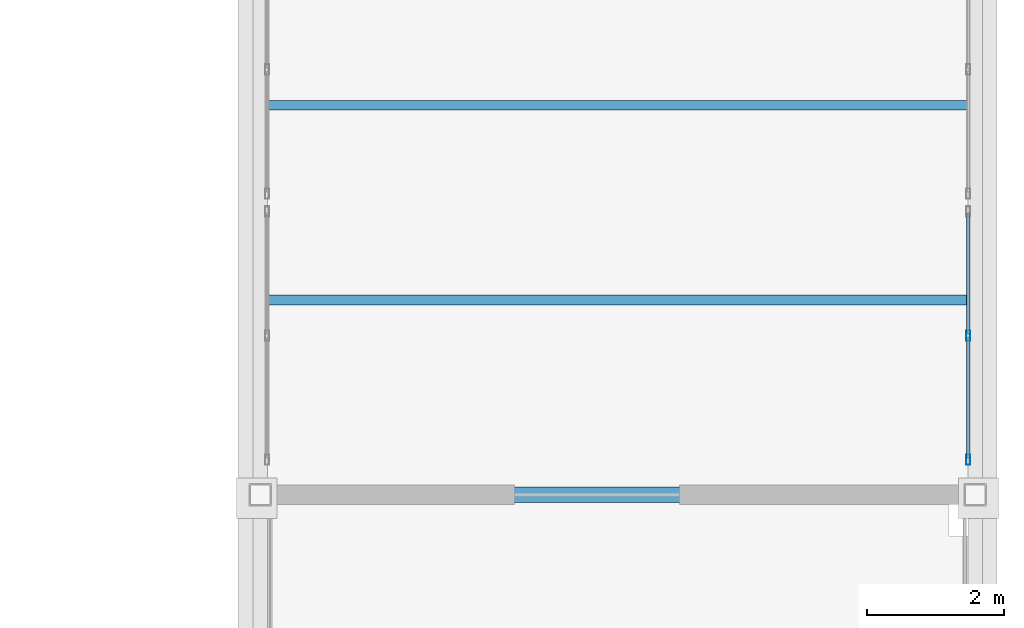
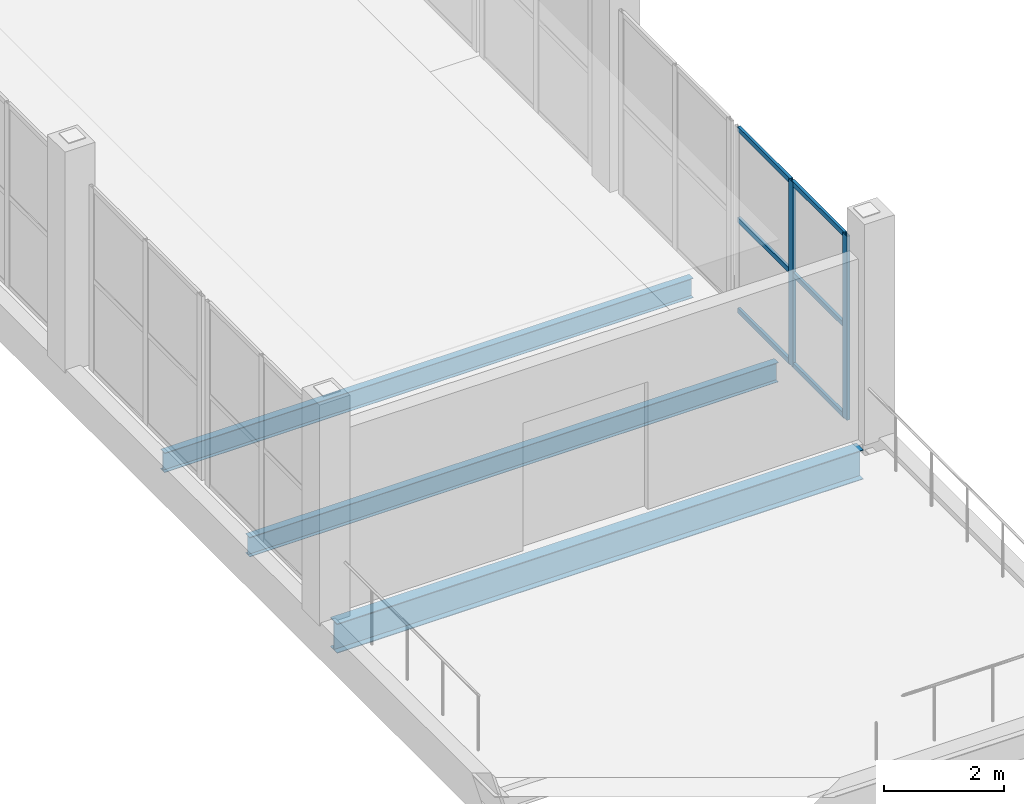
# One storey, part 73 of 156: 8 members, 3 beams, 1 element without a shape of its own.
"""IFC4 building model written with IfcOpenShell, lengths in metres."""

import ifcopenshell
import ifcopenshell.guid

model = None  # the IFC model being written
_history = None  # IfcOwnerHistory: only IFC2X3 demands one
_inside = {}  # id of a spatial element -> (the spatial element, [elements in it])
_under = {}  # id of a project, library or spatial element -> (it, [spatial elements below it])
_declared = {}  # id of a project -> (the project, [libraries it declares])
_typed = {}  # id of a type object -> (the type object, [elements of that type])
_made_of = {}  # id of a material, layer set ... -> (it, [elements and type objects made of it])


def new_model(schema):
    """Start an empty IFC model of exactly this schema.

    Asked for "IFC4X3", IfcOpenShell would pick the latest addendum, in which some entities
    have other attributes; the version numbers below select the first issue.
    IFC2X3 requires an IfcOwnerHistory on every rooted entity: one is made here for all.
    """
    global model, _history
    if schema == "IFC4X3":
        model = ifcopenshell.file(schema_version=(4, 3, 0, 0))
    else:
        model = ifcopenshell.file(schema=schema)
    _inside.clear()
    _under.clear()
    _declared.clear()
    _typed.clear()
    _made_of.clear()
    _history = None
    if model.schema == "IFC2X3":
        org = make("IfcOrganization", Name="unknown")
        user = make(
            "IfcPersonAndOrganization",
            ThePerson=make("IfcPerson", FamilyName="unknown"),
            TheOrganization=org,
        )
        app = make(
            "IfcApplication",
            ApplicationDeveloper=org,
            Version="unknown",
            ApplicationFullName="unknown",
            ApplicationIdentifier="unknown",
        )
        _history = make(
            "IfcOwnerHistory",
            OwningUser=user,
            OwningApplication=app,
            ChangeAction="ADDED",
            CreationDate=0,
        )
    return model


def make(cls, **values):
    """One entity of the class cls with the attributes given. An attribute that is None is left unset."""
    return model.create_entity(
        cls, **{name: value for name, value in values.items() if value is not None}
    )


def rooted(cls, **values):
    """An entity with a GlobalId (a new one), such as an element, a storey or a relation."""
    return make(cls, GlobalId=ifcopenshell.guid.new(), OwnerHistory=_history, **values)


def si_unit(unit_type, name, prefix=None):
    """IfcSIUnit, for example si_unit("LENGTHUNIT", "METRE", prefix="MILLI")."""
    return make("IfcSIUnit", UnitType=unit_type, Prefix=prefix, Name=name)


def assignment(units):
    """IfcUnitAssignment: the units of a project."""
    return None if units is None else make("IfcUnitAssignment", Units=units)


def point(xyz):
    """IfcCartesianPoint."""
    return None if xyz is None else make("IfcCartesianPoint", Coordinates=xyz)


def direction(xyz):
    """IfcDirection."""
    return None if xyz is None else make("IfcDirection", DirectionRatios=xyz)


def frame(location, z_axis=None, x_axis=None):
    """IfcAxis2Placement3D, a coordinate frame: its origin and axes. An axis left out is left unset."""
    return make(
        "IfcAxis2Placement3D",
        Location=point(location),
        Axis=direction(z_axis),
        RefDirection=direction(x_axis),
    )


def frame_2d(location, x_axis=None):
    """IfcAxis2Placement2D, a coordinate frame in the plane: its origin and x axis."""
    return make(
        "IfcAxis2Placement2D", Location=point(location), RefDirection=direction(x_axis)
    )


def origin():
    """The frame at (0, 0, 0) with its axes left unset."""
    return frame((0.0, 0.0, 0.0))


def origin_2d():
    """The frame at (0, 0) in the plane with its x axis left unset."""
    return frame_2d((0.0, 0.0))


def place(relative_to, where):
    """IfcLocalPlacement: puts the frame where relative to a parent placement (None: the world)."""
    return make(
        "IfcLocalPlacement", PlacementRelTo=relative_to, RelativePlacement=where
    )


def context(
    kind, dimensions, precision=None, world=None, true_north=None, identifier=None
):
    """IfcGeometricRepresentationContext, for example the 3D "Model" context."""
    return make(
        "IfcGeometricRepresentationContext",
        ContextIdentifier=identifier,
        ContextType=kind,
        CoordinateSpaceDimension=dimensions,
        Precision=precision,
        WorldCoordinateSystem=world,
        TrueNorth=true_north,
    )


def subcontext(parent, identifier, kind, view, scale=None):
    """IfcGeometricRepresentationSubContext, for example "Body" below "Model"."""
    return make(
        "IfcGeometricRepresentationSubContext",
        ContextIdentifier=identifier,
        ContextType=kind,
        ParentContext=parent,
        TargetScale=scale,
        TargetView=view,
    )


def project(units=None, contexts=None):
    """IfcProject with its units and contexts."""
    return rooted(
        "IfcProject",
        Name="project",
        RepresentationContexts=contexts,
        UnitsInContext=assignment(units),
    )


def spatial(cls, under=None, at=None, **own):
    """A site, building, storey or space (cls), placed at a placement, below another one or the project."""
    s = rooted(cls, ObjectPlacement=at, **own)
    if under is not None:
        _under.setdefault(under.id(), (under, []))[1].append(s)
    return s


def profile(cls, at=None, kind="AREA", **sizes):
    """A parametric profile (cls). Its sizes go by their IFC names, for example OverallWidth=200.0."""
    return make(cls, ProfileType=kind, Position=at, **sizes)


def hollow_rectangle(**sizes):
    """IfcRectangleHollowProfileDef."""
    return profile("IfcRectangleHollowProfileDef", **sizes)


def i_section(**sizes):
    """IfcIShapeProfileDef."""
    return profile("IfcIShapeProfileDef", **sizes)


def extrude(swept, where, along, depth):
    """IfcExtrudedAreaSolid: the profile swept, set in the frame where, extruded along a direction by depth."""
    return make(
        "IfcExtrudedAreaSolid",
        SweptArea=swept,
        Position=where,
        ExtrudedDirection=direction(along),
        Depth=depth,
    )


def shape(context_of_items, identifier, shape_type, items):
    """IfcShapeRepresentation: the items that make up one representation, for example the "Body"."""
    return make(
        "IfcShapeRepresentation",
        ContextOfItems=context_of_items,
        RepresentationIdentifier=identifier,
        RepresentationType=shape_type,
        Items=items,
    )


def material(Name=None, Category=None):
    """IfcMaterial."""
    return make("IfcMaterial", Name=Name, Category=Category)


def material_profile(
    of_material, cross_section, Name=None, Category=None, Priority=None
):
    """IfcMaterialProfile: a cross section and its material."""
    return make(
        "IfcMaterialProfile",
        Name=Name,
        Material=of_material,
        Profile=cross_section,
        Priority=Priority,
        Category=Category,
    )


def profile_set(profiles, Name=None, composite=None):
    """IfcMaterialProfileSet."""
    return make(
        "IfcMaterialProfileSet",
        Name=Name,
        MaterialProfiles=profiles,
        CompositeProfile=composite,
    )


def made_of(thing, what):
    """Note that an element or type object is made of a material, layer set ...; save() writes the relation."""
    if what is not None:
        _made_of.setdefault(what.id(), (what, []))[1].append(thing)
    return thing


def type_object(cls, material=None, **own):
    """A type object (cls), such as IfcWallType, which elements share."""
    return made_of(rooted(cls, **own), material)


def element(
    cls,
    number,
    at=None,
    inside=None,
    cuts=None,
    type_object=None,
    material=None,
    context=None,
    identifier="Body",
    shape_type=None,
    held_by="IfcProductDefinitionShape",
    body=None,
    shapes=None,
    **own,
):
    """One element of the class cls, such as IfcWall. Its Tag is "e" and its number.

    at: its placement. inside: the storey or other place that contains it. cuts: it is an
    opening in that element (IfcRelVoidsElement). A single representation is given by context,
    identifier, shape_type and body (its items); several are given by shapes. held_by: the class
    of the entity that holds the representations. save() writes the other relations.
    """
    e = rooted(cls, Tag="e%d" % number, ObjectPlacement=at, **own)
    if body is not None:
        shapes = [shape(context, identifier, shape_type, body)]
    if shapes is not None:
        e.Representation = make(held_by, Representations=shapes)
    if inside is not None:
        _inside.setdefault(inside.id(), (inside, []))[1].append(e)
    if cuts is not None:
        rooted(
            "IfcRelVoidsElement", RelatingBuildingElement=cuts, RelatedOpeningElement=e
        )
    if type_object is not None:
        _typed.setdefault(type_object.id(), (type_object, []))[1].append(e)
    return made_of(e, material)


def aggregate(whole, parts):
    """IfcRelAggregates: a whole, such as a stair, and the parts it consists of."""
    return rooted("IfcRelAggregates", RelatingObject=whole, RelatedObjects=parts)


def save(model, path):
    """Write the relations noted so far, then the file.

    IfcRelAggregates (storeys below a building ...), IfcRelContainedInSpatialStructure (elements
    in a storey), IfcRelDefinesByType, IfcRelAssociatesMaterial and IfcRelDeclares: one each for
    every whole, place, type object, material and project.
    """
    for whole, parts in _under.values():
        aggregate(whole, parts)
    for where, things in _inside.values():
        rooted(
            "IfcRelContainedInSpatialStructure",
            RelatedElements=things,
            RelatingStructure=where,
        )
    for kind, things in _typed.values():
        rooted("IfcRelDefinesByType", RelatedObjects=things, RelatingType=kind)
    for what, things in _made_of.values():
        rooted("IfcRelAssociatesMaterial", RelatedObjects=things, RelatingMaterial=what)
    for by, libraries in _declared.values():
        rooted("IfcRelDeclares", RelatingContext=by, RelatedDefinitions=libraries)
    model.write(path)


model = new_model("IFC4")

# Units and contexts
model_context = context("Model", 3, precision=1e-05, world=origin(), true_north=direction((0.0, 1.0)))
body_context = subcontext(model_context, "Body", "Model", "MODEL_VIEW")
ifc_project = project(units=[si_unit("LENGTHUNIT", "METRE"), si_unit("AREAUNIT", "SQUARE_METRE"), si_unit("VOLUMEUNIT", "CUBIC_METRE"), si_unit("PLANEANGLEUNIT", "RADIAN"), si_unit("MASSUNIT", "GRAM", prefix="KILO")], contexts=[model_context])

# Site, building, storey
site_placement = place(None, origin())
site = spatial("IfcSite", under=ifc_project, at=site_placement, CompositionType="ELEMENT")
building_placement = place(site_placement, origin())
building = spatial("IfcBuilding", under=site, at=building_placement, Name="Caurita Quay Ferry Terminal", CompositionType="ELEMENT")
storey_placement = place(building_placement, frame((0.0, 0.0, 5.39990234375)))
storey = spatial("IfcBuildingStorey", under=building, at=storey_placement, Name="L01", CompositionType="ELEMENT", Elevation=5.39990234375)

# Beams
ifc_material_1 = material(Name="Structural steel ASTM A992 Gr. 50", Category="steel")
ifc_material_profile_1 = material_profile(ifc_material_1, i_section(OverallWidth=0.22802734375, OverallDepth=0.60205078125, WebThickness=0.010498046875, FlangeThickness=0.014892578125, at=origin_2d()), Name="W24X68")
ifc_profile_set_1 = profile_set([ifc_material_profile_1], Name="Structural steel ASTM A992 Gr. 50")
beam_type_1 = type_object("IfcBeamType", Name="BM-GR-W24C", PredefinedType="BEAM", material=ifc_profile_set_1)
beam_placement = place(storey_placement, frame((163.7294921875, 8.5, -0.560791015625), z_axis=(1.0, 0.0, 0.0), x_axis=(0.0, 1.0, 0.0)))
element("IfcBeam", 1, at=beam_placement, inside=storey, type_object=beam_type_1, Name="L01 Beam BM-V3P-L01-X-1637-85", PredefinedType="BEAM", context=body_context, shape_type="SweptSolid", body=[
    extrude(i_section(OverallWidth=0.22802734375, OverallDepth=0.60205078125, WebThickness=0.010498046875, FlangeThickness=0.014892578125, at=origin_2d()), origin(), (0.0, 0.0, 1.0), 10.14111328125),
])
ifc_material_profile_2 = material_profile(ifc_material_1, i_section(OverallWidth=0.139892578125, OverallDepth=0.39892578125, WebThickness=0.00634765625, FlangeThickness=0.0087890625, at=origin_2d()), Name="W16X26")
ifc_profile_set_2 = profile_set([ifc_material_profile_2], Name="Structural steel ASTM A992 Gr. 50")
beam_type_2 = type_object("IfcBeamType", Name="BM-JS-W16C", PredefinedType="JOIST", material=ifc_profile_set_2)
for number, where, z_axis, x_axis, name in (
    (2, (163.705322265625, 11.333251953125, -0.434326171875), (1.0, 0.0, 0.0), (0.0, 1.0, 0.0), "L01 Beam JS-V3P-L01-019"),
    (3, (163.705322265625, 14.166748046875, -0.434326171875), (1.0, 0.0, 0.0), (0.0, 1.0, 0.0), "L01 Beam JS-V3P-L01-020"),
):
    element("IfcBeam", number, at=place(storey_placement, frame(where, z_axis=z_axis, x_axis=x_axis)), inside=storey, type_object=beam_type_2, Name=name, PredefinedType="JOIST", context=body_context, shape_type="SweptSolid", body=[
        extrude(i_section(OverallWidth=0.139892578125, OverallDepth=0.39892578125, WebThickness=0.00634765625, FlangeThickness=0.0087890625, at=origin_2d()), origin(), (0.0, 0.0, 1.0), 10.189208984375),
    ])

# Curtain wall, members
ifc_material_2 = material(Name="Laminated solar-control insulated glass", Category="glass")
curtain_wall_type = type_object("IfcCurtainWallType", Name="CW-SYS-15", PredefinedType="NOTDEFINED", material=ifc_material_2)
curtain_wall_placement = place(storey_placement, origin())
curtain_wall = element("IfcCurtainWall", 4, at=curtain_wall_placement, inside=storey, type_object=curtain_wall_type, Name="Boarding Gangway Ribbon Curtain Wall 130", PredefinedType="NOTDEFINED")
ifc_material_3 = material(Name="Anodized aluminium 6063-T6", Category="aluminium")
ifc_material_profile_3 = material_profile(ifc_material_3, hollow_rectangle(XDim=0.06005859375, YDim=0.14990234375, WallThickness=0.00341796875, at=origin_2d()), Name="ALU-MUL-60X150")
ifc_profile_set_3 = profile_set([ifc_material_profile_3], Name="Anodized aluminium 6063-T6")
member_type_1 = type_object("IfcMemberType", Name="CW-MUL-150", PredefinedType="MULLION", material=ifc_profile_set_3)
member_1_placement = place(storey_placement, frame((173.89990234375, 9.010009765625, 0.0), z_axis=(0.0, 0.0, 1.0), x_axis=(-1.0, 0.0, 0.0)))
member_1 = element("IfcMember", 5, at=member_1_placement, type_object=member_type_1, Name="CW-BGW-130 Mullion 1", PredefinedType="MULLION", context=body_context, shape_type="SweptSolid", body=[
    extrude(hollow_rectangle(XDim=0.06005859375, YDim=0.14990234375, WallThickness=0.00341796875, at=origin_2d()), origin(), (0.0, 0.0, 1.0), 3.75),
])
member_2_placement = place(storey_placement, frame((173.89990234375, 10.81494140625, 0.0), z_axis=(0.0, 0.0, 1.0), x_axis=(-1.0, 0.0, 0.0)))
member_2 = element("IfcMember", 6, at=member_2_placement, type_object=member_type_1, Name="CW-BGW-130 Mullion 2", PredefinedType="MULLION", context=body_context, shape_type="SweptSolid", body=[
    extrude(hollow_rectangle(XDim=0.06005859375, YDim=0.14990234375, WallThickness=0.00341796875, at=origin_2d()), origin(), (0.0, 0.0, 1.0), 3.75),
])
ifc_material_profile_4 = material_profile(ifc_material_3, hollow_rectangle(XDim=0.054931640625, YDim=0.10009765625, WallThickness=0.00341796875, at=origin_2d()), Name="ALU-TRN-55X100")
ifc_profile_set_4 = profile_set([ifc_material_profile_4], Name="Anodized aluminium 6063-T6")
member_type_2 = type_object("IfcMemberType", Name="CW-TRN-100", PredefinedType="USERDEFINED", material=ifc_profile_set_4)
member_3_placement = place(storey_placement, frame((173.89990234375, 9.0380859375, 0.027587890625), z_axis=(0.0, 1.0, 0.0), x_axis=(-1.0, 0.0, 0.0)))
member_3 = element("IfcMember", 7, at=member_3_placement, type_object=member_type_2, Name="CW-BGW-130 Transom 1", ObjectType="TRANSOM", PredefinedType="USERDEFINED", context=body_context, shape_type="SweptSolid", body=[
    extrude(hollow_rectangle(XDim=0.054931640625, YDim=0.10009765625, WallThickness=0.00341796875, at=origin_2d()), origin(), (0.0, 0.0, 1.0), 1.7490234375),
])
member_4_placement = place(storey_placement, frame((173.89990234375, 9.0380859375, 1.875), z_axis=(0.0, 1.0, 0.0), x_axis=(-1.0, 0.0, 0.0)))
member_4 = element("IfcMember", 8, at=member_4_placement, type_object=member_type_2, Name="CW-BGW-130 Transom 2", ObjectType="TRANSOM", PredefinedType="USERDEFINED", context=body_context, shape_type="SweptSolid", body=[
    extrude(hollow_rectangle(XDim=0.054931640625, YDim=0.10009765625, WallThickness=0.00341796875, at=origin_2d()), origin(), (0.0, 0.0, 1.0), 1.7490234375),
])
member_5_placement = place(storey_placement, frame((173.89990234375, 9.0380859375, 3.72265625), z_axis=(0.0, 1.0, 0.0), x_axis=(-1.0, 0.0, 0.0)))
member_5 = element("IfcMember", 9, at=member_5_placement, type_object=member_type_2, Name="CW-BGW-130 Transom 3", ObjectType="TRANSOM", PredefinedType="USERDEFINED", context=body_context, shape_type="SweptSolid", body=[
    extrude(hollow_rectangle(XDim=0.054931640625, YDim=0.10009765625, WallThickness=0.00341796875, at=origin_2d()), origin(), (0.0, 0.0, 1.0), 1.7490234375),
])
member_6_placement = place(storey_placement, frame((173.89990234375, 10.843017578125, 0.027587890625), z_axis=(0.0, 1.0, 0.0), x_axis=(-1.0, 0.0, 0.0)))
member_6 = element("IfcMember", 10, at=member_6_placement, type_object=member_type_2, Name="CW-BGW-130 Transom 4", ObjectType="TRANSOM", PredefinedType="USERDEFINED", context=body_context, shape_type="SweptSolid", body=[
    extrude(hollow_rectangle(XDim=0.054931640625, YDim=0.10009765625, WallThickness=0.00341796875, at=origin_2d()), origin(), (0.0, 0.0, 1.0), 1.7490234375),
])
member_7_placement = place(storey_placement, frame((173.89990234375, 10.843017578125, 1.875), z_axis=(0.0, 1.0, 0.0), x_axis=(-1.0, 0.0, 0.0)))
member_7 = element("IfcMember", 11, at=member_7_placement, type_object=member_type_2, Name="CW-BGW-130 Transom 5", ObjectType="TRANSOM", PredefinedType="USERDEFINED", context=body_context, shape_type="SweptSolid", body=[
    extrude(hollow_rectangle(XDim=0.054931640625, YDim=0.10009765625, WallThickness=0.00341796875, at=origin_2d()), origin(), (0.0, 0.0, 1.0), 1.7490234375),
])
member_8_placement = place(storey_placement, frame((173.89990234375, 10.843017578125, 3.72265625), z_axis=(0.0, 1.0, 0.0), x_axis=(-1.0, 0.0, 0.0)))
member_8 = element("IfcMember", 12, at=member_8_placement, type_object=member_type_2, Name="CW-BGW-130 Transom 6", ObjectType="TRANSOM", PredefinedType="USERDEFINED", context=body_context, shape_type="SweptSolid", body=[
    extrude(hollow_rectangle(XDim=0.054931640625, YDim=0.10009765625, WallThickness=0.00341796875, at=origin_2d()), origin(), (0.0, 0.0, 1.0), 1.7490234375),
])
aggregate(curtain_wall, [member_1, member_2, member_3, member_4, member_5, member_6, member_7, member_8])

save(model, "model.ifc")
